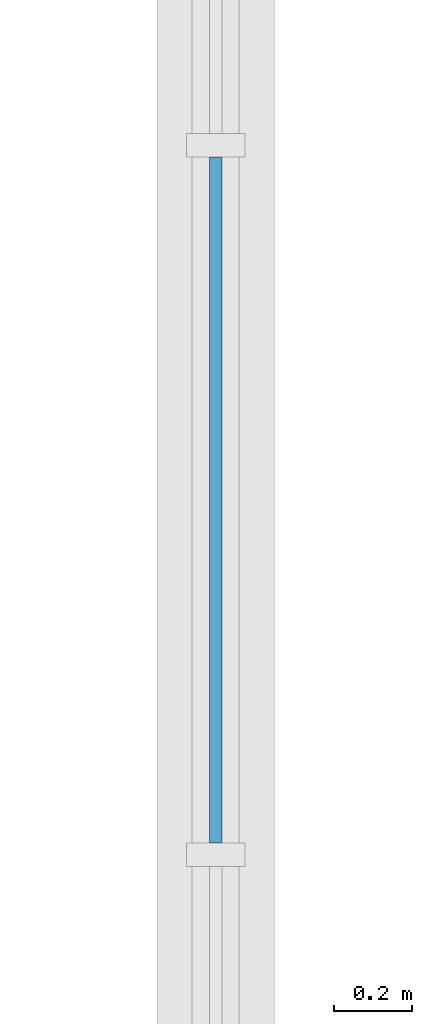
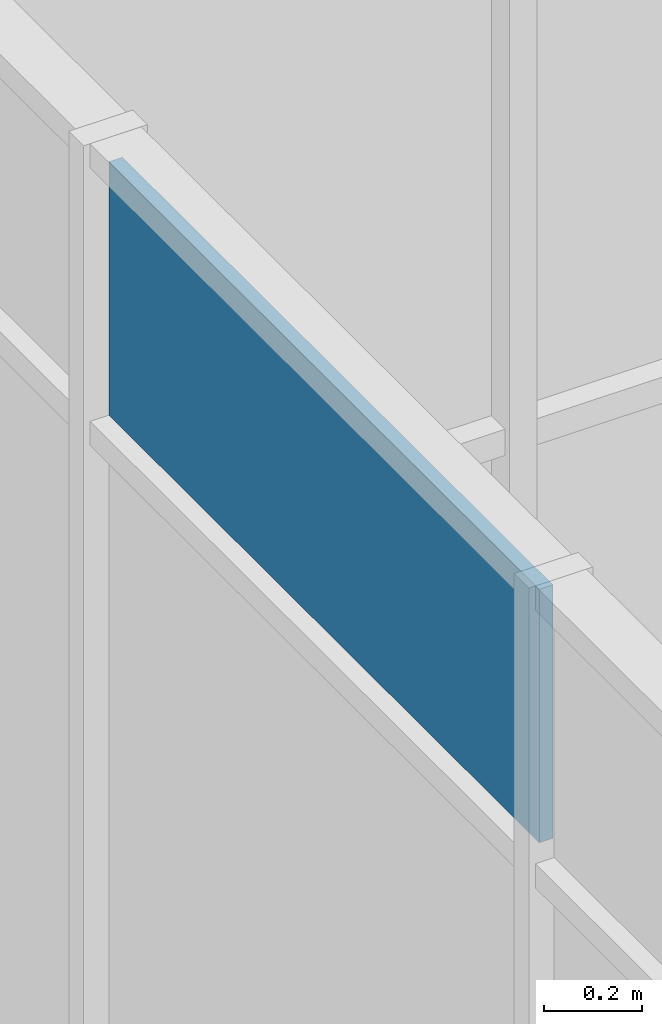
# One storey, part 51 of 72: 1 plate, 1 element without a shape of its own.
"""IFC4 building model written with IfcOpenShell, lengths in metres."""

from ifc_helpers import new_model, si_unit, direction, frame, origin, origin_2d, place, context, subcontext, project, spatial, rectangle, extrude, material, layer, layer_set, type_object, element, aggregate, save


model = new_model("IFC4")

# Units and contexts
model_context = context("Model", 3, precision=1e-05, world=origin(), true_north=direction((0.0, 1.0)))
body_context = subcontext(model_context, "Body", "Model", "MODEL_VIEW")
ifc_project = project(units=[si_unit("LENGTHUNIT", "METRE"), si_unit("AREAUNIT", "SQUARE_METRE"), si_unit("VOLUMEUNIT", "CUBIC_METRE"), si_unit("PLANEANGLEUNIT", "RADIAN"), si_unit("MASSUNIT", "GRAM", prefix="KILO")], contexts=[model_context])

# Site, building, storey
site_placement = place(None, origin())
site = spatial("IfcSite", under=ifc_project, at=site_placement, CompositionType="ELEMENT")
building_placement = place(site_placement, origin())
building = spatial("IfcBuilding", under=site, at=building_placement, Name="Tenunan Teduh Sports Hall", CompositionType="ELEMENT")
storey_placement = place(building_placement, frame((0.0, 0.0, 15.0)))
storey = spatial("IfcBuildingStorey", under=building, at=storey_placement, Name="L03", CompositionType="ELEMENT", Elevation=15.0)

# Curtain wall, plate
ifc_material_1 = material(Name="Anodised aluminium", Category="aluminium")
curtain_wall_type = type_object("IfcCurtainWallType", Name="CW-UNIT-2", PredefinedType="NOTDEFINED", material=ifc_material_1)
curtain_wall_placement = place(storey_placement, origin())
curtain_wall = element("IfcCurtainWall", 1, at=curtain_wall_placement, inside=storey, type_object=curtain_wall_type, Name="CW-CWM-150-L03-151", PredefinedType="NOTDEFINED")
ifc_material_2 = material(Name="Solar-control laminated glazing", Category="glass")
ifc_layer = layer(ifc_material_2, 0.031982421875)
ifc_layer_set = layer_set([ifc_layer], Name="Solar-control laminated glazing")
plate_type = type_object("IfcPlateType", Name="CWP-GLZ-32", PredefinedType="CURTAIN_PANEL", material=ifc_layer_set)
plate_placement = place(storey_placement, frame((122.0, 74.90625, 3.22998046875), z_axis=(0.0, 0.0, 1.0), x_axis=(0.0, 1.0, 0.0)))
plate = element("IfcPlate", 2, at=plate_placement, type_object=plate_type, Name="CW-02 panel 3.3", PredefinedType="CURTAIN_PANEL", context=body_context, shape_type="SweptSolid", body=[
    extrude(rectangle(XDim=1.75244140625, YDim=0.031982421875, at=origin_2d()), origin(), (0.0, 0.0, 1.0), 0.6298828125),
])
aggregate(curtain_wall, [plate])

save(model, "model.ifc")
